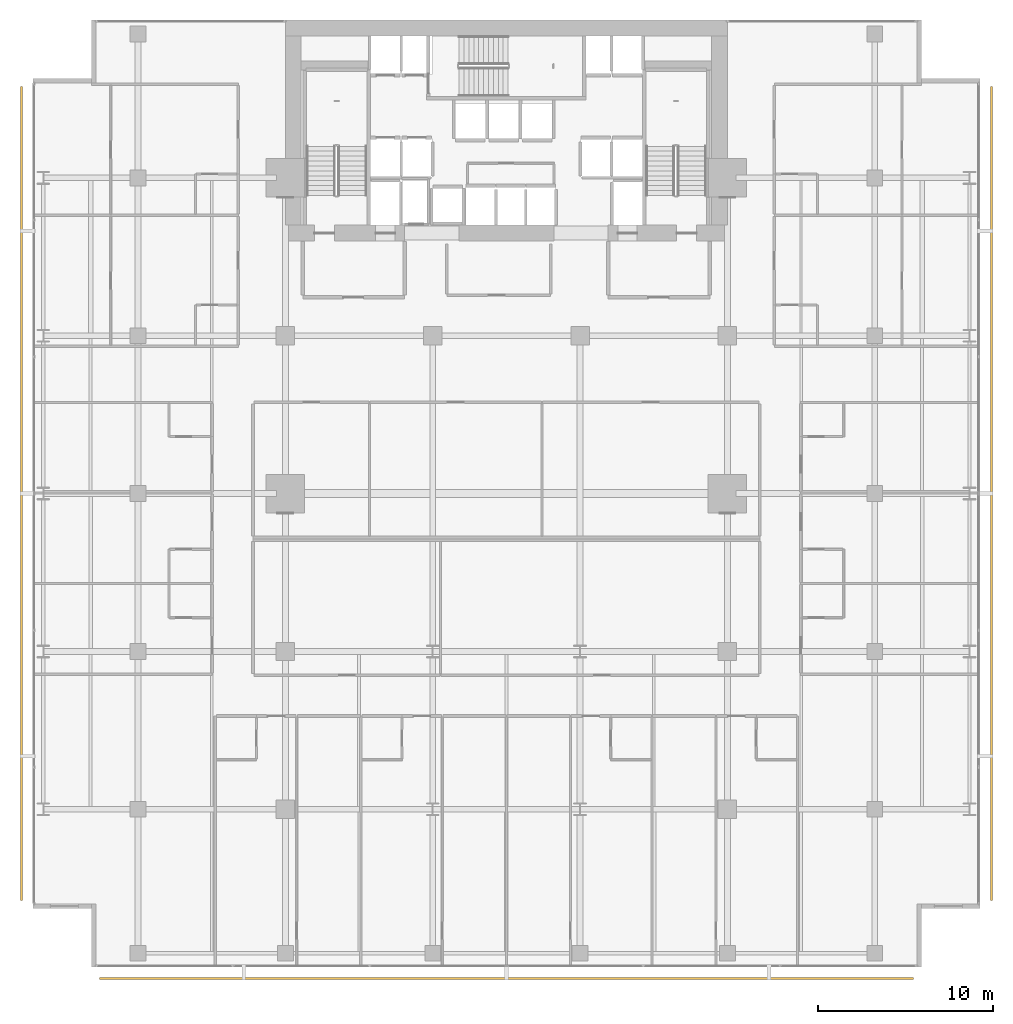
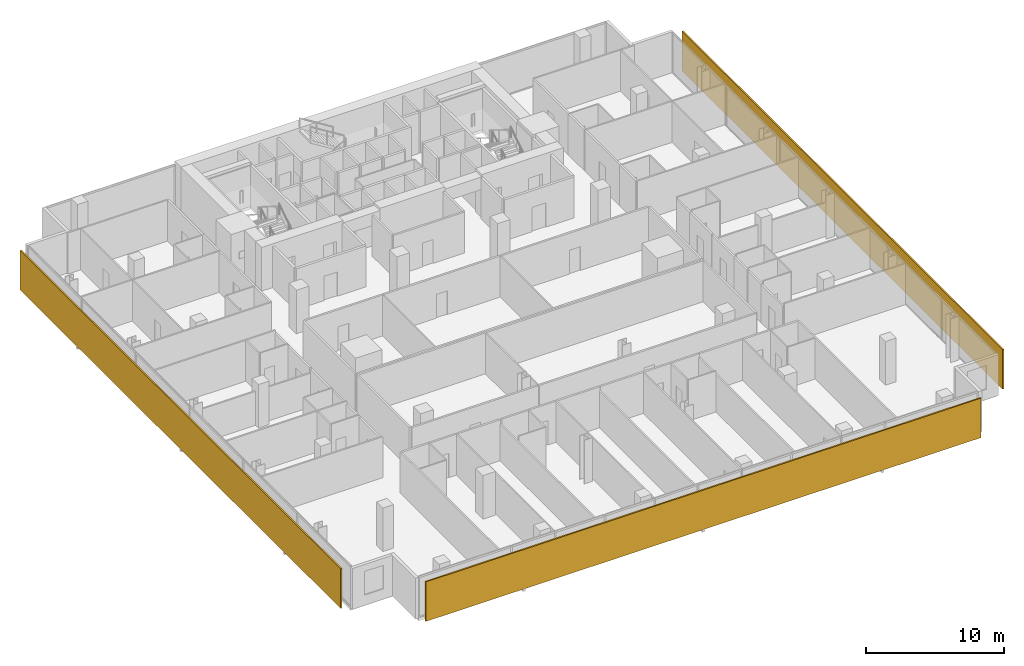
# One storey, part 39 of 40: 3 shading devices.
"""IFC4 building model written with IfcOpenShell, lengths in metres."""

from ifc_helpers import new_model, si_unit, direction, frame, origin, origin_2d, place, context, subcontext, project, spatial, rectangle, extrude, material, layer, layer_set, type_object, element, save


model = new_model("IFC4")

# Units and contexts
model_context = context("Model", 3, precision=1e-05, world=origin(), true_north=direction((0.0, 1.0)))
body_context = subcontext(model_context, "Body", "Model", "MODEL_VIEW")
ifc_project = project(units=[si_unit("LENGTHUNIT", "METRE"), si_unit("AREAUNIT", "SQUARE_METRE"), si_unit("VOLUMEUNIT", "CUBIC_METRE"), si_unit("PLANEANGLEUNIT", "RADIAN"), si_unit("MASSUNIT", "GRAM", prefix="KILO")], contexts=[model_context])

# Site, building, storey
site_placement = place(None, origin())
site = spatial("IfcSite", under=ifc_project, at=site_placement, CompositionType="ELEMENT")
building_placement = place(site_placement, origin())
building = spatial("IfcBuilding", under=site, at=building_placement, Name="Maruvema Waterfront Hotel and Observation Tower", CompositionType="ELEMENT")
storey_placement = place(building_placement, frame((0.0, 0.0, 42.35009765625)))
storey = spatial("IfcBuildingStorey", under=building, at=storey_placement, Name="L09", CompositionType="ELEMENT", Elevation=42.35009765625)

# Shading devices
ifc_material = material(Name="Honed travertine stone and anodised architectural bronze", Category="masonry")
ifc_layer = layer(ifc_material, 0.1201171875, Name="Ventilated Outer Skin Cobogo Stone-and-Bronze Screen 120 mm")
ifc_layer_set = layer_set([ifc_layer], Name="Honed travertine stone and anodised architectural bronze")
shading_device_type = type_object("IfcShadingDeviceType", Name="Ventilated Outer Skin Cobogo Stone-and-Bronze Screen 120 mm", PredefinedType="USERDEFINED", material=ifc_layer_set)
for number, where, z_axis, x_axis, name in (
    (1, (37.800048828125, -0.64990234375, 0.06005859375), (0.0, 0.0, 1.0), (1.0, 0.0, 0.0), "L09 Ventilated Double-Skin Outer Cobogo Screen OS-L09-S"),
    (2, (65.449951171875, 27.0, 0.06005859375), (0.0, 0.0, 1.0), (0.0, 1.0, 0.0), "L09 Ventilated Double-Skin Outer Cobogo Screen OS-L09-E"),
    (3, (10.14990234375, 27.0, 0.06005859375), (0.0, 0.0, 1.0), (0.0, -1.0, 0.0), "L09 Ventilated Double-Skin Outer Cobogo Screen OS-L09-W"),
):
    element("IfcShadingDevice", number, at=place(storey_placement, frame(where, z_axis=z_axis, x_axis=x_axis)), inside=storey, type_object=shading_device_type, Name=name, ObjectType="OUTER SKIN SCREEN", PredefinedType="USERDEFINED", context=body_context, shape_type="SweptSolid", body=[
        extrude(rectangle(XDim=46.39990234375, YDim=0.1201171875, at=origin_2d()), origin(), (0.0, 0.0, 1.0), 3.489990234375),
    ])

save(model, "model.ifc")
